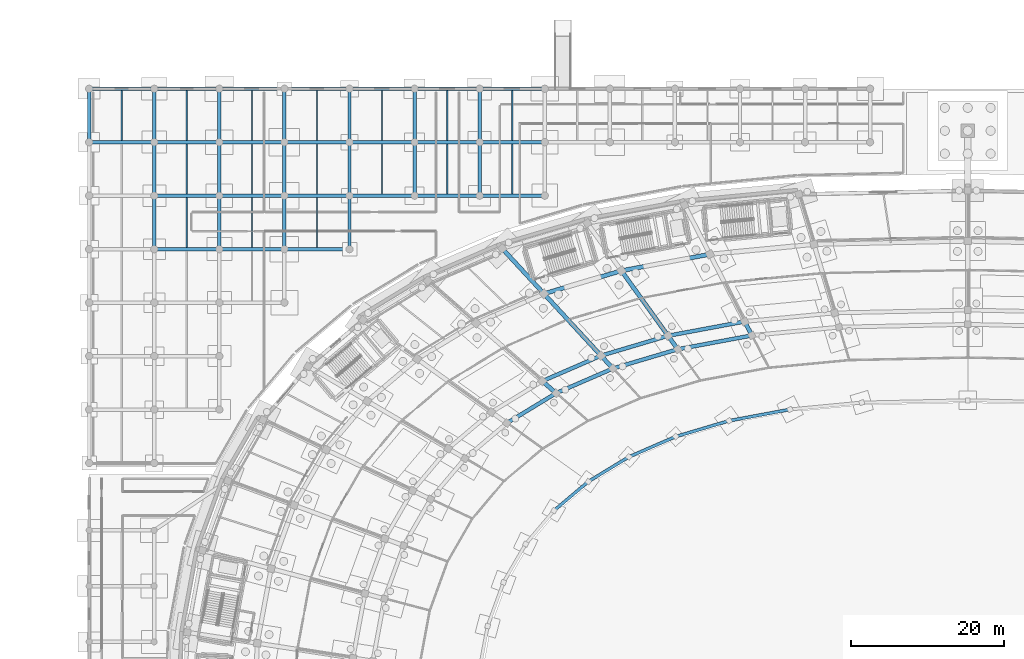
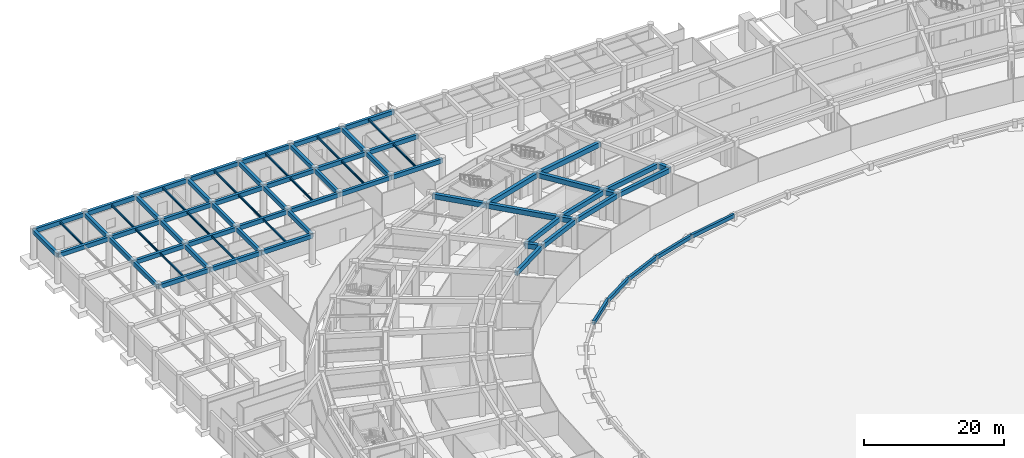
# One storey, part 34 of 88: 77 beams.
"""IFC4 building model written with IfcOpenShell, lengths in metres."""

from ifc_helpers import new_model, si_unit, direction, frame, origin, origin_2d, place, context, subcontext, project, spatial, rectangle, i_section, extrude, material, material_profile, profile_set, type_object, element, save


model = new_model("IFC4")

# Units and contexts
model_context = context("Model", 3, precision=1e-05, world=origin(), true_north=direction((0.0, 1.0)))
body_context = subcontext(model_context, "Body", "Model", "MODEL_VIEW")
ifc_project = project(units=[si_unit("LENGTHUNIT", "METRE"), si_unit("AREAUNIT", "SQUARE_METRE"), si_unit("VOLUMEUNIT", "CUBIC_METRE"), si_unit("PLANEANGLEUNIT", "RADIAN"), si_unit("MASSUNIT", "GRAM", prefix="KILO")], contexts=[model_context])

# Site, building, storey
site_placement = place(None, origin())
site = spatial("IfcSite", under=ifc_project, at=site_placement, CompositionType="ELEMENT")
building_placement = place(site_placement, origin())
building = spatial("IfcBuilding", under=site, at=building_placement, Name="Mphavela Belvedere Stadium", CompositionType="ELEMENT")
storey_placement = place(building_placement, origin())
storey = spatial("IfcBuildingStorey", under=building, at=storey_placement, Name="L00", CompositionType="ELEMENT", Elevation=0.0)

# Beams
ifc_material_1 = material(Name="Steel S355", Category="steel")
ifc_material_profile_1 = material_profile(ifc_material_1, i_section(OverallWidth=0.169921875, OverallDepth=0.360107421875, WebThickness=0.008056640625, FlangeThickness=0.0126953125, at=origin_2d()), Name="IPE 360")
ifc_profile_set_1 = profile_set([ifc_material_profile_1], Name="Steel S355")
beam_type_1 = type_object("IfcBeamType", Name="BM-JOIST-IPE360", PredefinedType="JOIST", material=ifc_profile_set_1)
for number, where, z_axis, x_axis, name in (
    (1, (4.259521484375, 167.22509765625, 4.9599609375), (0.0, 1.0, 0.0), (-1.0, 0.0, 0.0), "North Mast and Ceremonial End Forecourt secondary joist L00 1-7"),
    (2, (12.778076171875, 153.22509765625, 4.9599609375), (0.0, 1.0, 0.0), (-1.0, 0.0, 0.0), "North Mast and Ceremonial End Forecourt secondary joist L00 2-5"),
    (3, (12.778076171875, 160.22509765625, 4.9599609375), (0.0, 1.0, 0.0), (-1.0, 0.0, 0.0), "North Mast and Ceremonial End Forecourt secondary joist L00 2-6"),
    (4, (12.778076171875, 167.22509765625, 4.9599609375), (0.0, 1.0, 0.0), (-1.0, 0.0, 0.0), "North Mast and Ceremonial End Forecourt secondary joist L00 2-7"),
    (5, (21.29638671875, 153.22509765625, 4.9599609375), (0.0, 1.0, 0.0), (-1.0, 0.0, 0.0), "North Mast and Ceremonial End Forecourt secondary joist L00 3-5"),
    (6, (21.29638671875, 160.22509765625, 4.9599609375), (0.0, 1.0, 0.0), (-1.0, 0.0, 0.0), "North Mast and Ceremonial End Forecourt secondary joist L00 3-6"),
    (7, (21.29638671875, 167.22509765625, 4.9599609375), (0.0, 1.0, 0.0), (-1.0, 0.0, 0.0), "North Mast and Ceremonial End Forecourt secondary joist L00 3-7"),
    (8, (29.81494140625, 153.22509765625, 4.9599609375), (0.0, 1.0, 0.0), (-1.0, 0.0, 0.0), "North Mast and Ceremonial End Forecourt secondary joist L00 4-5"),
    (9, (29.81494140625, 160.22509765625, 4.9599609375), (0.0, 1.0, 0.0), (-1.0, 0.0, 0.0), "North Mast and Ceremonial End Forecourt secondary joist L00 4-6"),
    (10, (29.81494140625, 167.22509765625, 4.9599609375), (0.0, 1.0, 0.0), (-1.0, 0.0, 0.0), "North Mast and Ceremonial End Forecourt secondary joist L00 4-7"),
    (11, (38.33349609375, 160.22509765625, 4.9599609375), (0.0, 1.0, 0.0), (-1.0, 0.0, 0.0), "North Mast and Ceremonial End Forecourt secondary joist L00 5-6"),
    (12, (38.33349609375, 167.22509765625, 4.9599609375), (0.0, 1.0, 0.0), (-1.0, 0.0, 0.0), "North Mast and Ceremonial End Forecourt secondary joist L00 5-7"),
    (13, (46.85205078125, 160.22509765625, 4.9599609375), (0.0, 1.0, 0.0), (-1.0, 0.0, 0.0), "North Mast and Ceremonial End Forecourt secondary joist L00 6-6"),
    (14, (46.85205078125, 167.22509765625, 4.9599609375), (0.0, 1.0, 0.0), (-1.0, 0.0, 0.0), "North Mast and Ceremonial End Forecourt secondary joist L00 6-7"),
    (15, (55.37060546875, 160.22509765625, 4.9599609375), (0.0, 1.0, 0.0), (-1.0, 0.0, 0.0), "North Mast and Ceremonial End Forecourt secondary joist L00 7-6"),
    (16, (55.37060546875, 167.22509765625, 4.9599609375), (0.0, 1.0, 0.0), (-1.0, 0.0, 0.0), "North Mast and Ceremonial End Forecourt secondary joist L00 7-7"),
):
    element("IfcBeam", number, at=place(storey_placement, frame(where, z_axis=z_axis, x_axis=x_axis)), inside=storey, type_object=beam_type_1, Name=name, PredefinedType="JOIST", context=body_context, shape_type="SweptSolid", body=[
        extrude(i_section(OverallWidth=0.169921875, OverallDepth=0.360107421875, WebThickness=0.008056640625, FlangeThickness=0.0126953125, at=origin_2d()), origin(), (0.0, 0.0, 1.0), 6.5498046875),
    ])
ifc_material_2 = material(Name="Concrete C40/50", Category="concrete")
ifc_material_profile_2 = material_profile(ifc_material_2, rectangle(XDim=0.39990234375, YDim=0.64990234375, at=origin_2d()), Name="RC 400x650")
ifc_profile_set_2 = profile_set([ifc_material_profile_2], Name="Concrete C40/50")
beam_type_2 = type_object("IfcBeamType", Name="BM-RC400x650", PredefinedType="BEAM", material=ifc_profile_set_2)
beam_1_placement = place(storey_placement, frame((91.741943359375, 132.02392578125, 0.824951171875), z_axis=(-0.983092319169, -0.183110600433, 0.0), x_axis=(0.183110600433, -0.983092319169, 0.0)))
element("IfcBeam", 17, at=beam_1_placement, inside=storey, type_object=beam_type_2, Name="Lower tier plinth ring beam 15", PredefinedType="BEAM", context=body_context, shape_type="SweptSolid", body=[
    extrude(rectangle(XDim=0.39990234375, YDim=0.64990234375, at=origin_2d()), origin(), (0.0, 0.0, 1.0), 8.12255859375),
])
beam_2_placement = place(storey_placement, frame((83.7568359375, 130.53662109375, 0.824951171875), z_axis=(-0.958662145349, -0.284546817018, 0.0), x_axis=(0.284546817018, -0.958662145349, 0.0)))
element("IfcBeam", 18, at=beam_2_placement, inside=storey, type_object=beam_type_2, Name="Lower tier plinth ring beam 16", PredefinedType="BEAM", context=body_context, shape_type="SweptSolid", body=[
    extrude(rectangle(XDim=0.39990234375, YDim=0.64990234375, at=origin_2d()), origin(), (0.0, 0.0, 1.0), 7.287841796875),
])
beam_3_placement = place(storey_placement, frame((76.770263671875, 128.462890625, 0.824951171875), z_axis=(-0.917505783131, -0.397722438293, 0.0), x_axis=(0.397722438293, -0.917505783131, 0.0)))
element("IfcBeam", 19, at=beam_3_placement, inside=storey, type_object=beam_type_2, Name="Lower tier plinth ring beam 17", PredefinedType="BEAM", context=body_context, shape_type="SweptSolid", body=[
    extrude(rectangle(XDim=0.39990234375, YDim=0.64990234375, at=origin_2d()), origin(), (0.0, 0.0, 1.0), 6.672607421875),
])
beam_4_placement = place(storey_placement, frame((70.648193359375, 125.80908203125, 0.824951171875), z_axis=(-0.854317681937, -0.519751188868, 0.0), x_axis=(0.519751188868, -0.854317681937, 0.0)))
element("IfcBeam", 20, at=beam_4_placement, inside=storey, type_object=beam_type_2, Name="Lower tier plinth ring beam 18", PredefinedType="BEAM", context=body_context, shape_type="SweptSolid", body=[
    extrude(rectangle(XDim=0.39990234375, YDim=0.64990234375, at=origin_2d()), origin(), (0.0, 0.0, 1.0), 6.212158203125),
])
beam_5_placement = place(storey_placement, frame((65.341064453125, 122.580322265625, 0.824951171875), z_axis=(-0.764252578724, -0.644917045762, 0.0), x_axis=(0.644917045762, -0.764252578724, 0.0)))
element("IfcBeam", 21, at=beam_5_placement, inside=storey, type_object=beam_type_2, Name="Lower tier plinth ring beam 19", PredefinedType="BEAM", context=body_context, shape_type="SweptSolid", body=[
    extrude(rectangle(XDim=0.39990234375, YDim=0.64990234375, at=origin_2d()), origin(), (0.0, 0.0, 1.0), 5.89599609375),
])
ifc_material_3 = material(Name="Concrete C40/50", Category="concrete")
ifc_material_profile_3 = material_profile(ifc_material_3, rectangle(XDim=0.449951171875, YDim=0.75, at=origin_2d()), Name="RC 450x750")
ifc_profile_set_3 = profile_set([ifc_material_profile_3], Name="Concrete C40/50")
beam_type_3 = type_object("IfcBeamType", Name="BM-RC450x750", PredefinedType="BEAM", material=ifc_profile_set_3)
beam_6_placement = place(storey_placement, frame((0.0, 167.0, 4.764892578125), z_axis=(1.0, 0.0, 0.0), x_axis=(0.0, 1.0, 0.0)))
element("IfcBeam", 22, at=beam_6_placement, inside=storey, type_object=beam_type_3, Name="North Mast and Ceremonial End Forecourt entablature beam X L00 1-7", PredefinedType="BEAM", context=body_context, shape_type="SweptSolid", body=[
    extrude(rectangle(XDim=0.449951171875, YDim=0.75, at=origin_2d()), origin(), (0.0, 0.0, 1.0), 8.51904296875),
])
beam_7_placement = place(storey_placement, frame((0.0, 167.0, 4.764892578125), z_axis=(0.0, 1.0, 0.0), x_axis=(-1.0, 0.0, 0.0)))
element("IfcBeam", 23, at=beam_7_placement, inside=storey, type_object=beam_type_3, Name="North Mast and Ceremonial End Forecourt entablature beam Y L00 1-7", PredefinedType="BEAM", context=body_context, shape_type="SweptSolid", body=[
    extrude(rectangle(XDim=0.449951171875, YDim=0.75, at=origin_2d()), origin(), (0.0, 0.0, 1.0), 7.0),
])
beam_8_placement = place(storey_placement, frame((0.0, 174.0, 4.764892578125), z_axis=(1.0, 0.0, 0.0), x_axis=(0.0, 1.0, 0.0)))
element("IfcBeam", 24, at=beam_8_placement, inside=storey, type_object=beam_type_3, Name="North Mast and Ceremonial End Forecourt entablature beam X L00 1-8", PredefinedType="BEAM", context=body_context, shape_type="SweptSolid", body=[
    extrude(rectangle(XDim=0.449951171875, YDim=0.75, at=origin_2d()), origin(), (0.0, 0.0, 1.0), 8.51904296875),
])
beam_9_placement = place(storey_placement, frame((8.51904296875, 153.0, 4.764892578125), z_axis=(1.0, 0.0, 0.0), x_axis=(0.0, 1.0, 0.0)))
element("IfcBeam", 25, at=beam_9_placement, inside=storey, type_object=beam_type_3, Name="North Mast and Ceremonial End Forecourt entablature beam X L00 2-5", PredefinedType="BEAM", context=body_context, shape_type="SweptSolid", body=[
    extrude(rectangle(XDim=0.449951171875, YDim=0.75, at=origin_2d()), origin(), (0.0, 0.0, 1.0), 8.51806640625),
])
beam_10_placement = place(storey_placement, frame((8.51904296875, 153.0, 4.764892578125), z_axis=(0.0, 1.0, 0.0), x_axis=(-1.0, 0.0, 0.0)))
element("IfcBeam", 26, at=beam_10_placement, inside=storey, type_object=beam_type_3, Name="North Mast and Ceremonial End Forecourt entablature beam Y L00 2-5", PredefinedType="BEAM", context=body_context, shape_type="SweptSolid", body=[
    extrude(rectangle(XDim=0.449951171875, YDim=0.75, at=origin_2d()), origin(), (0.0, 0.0, 1.0), 7.0),
])
beam_11_placement = place(storey_placement, frame((8.51904296875, 160.0, 4.764892578125), z_axis=(1.0, 0.0, 0.0), x_axis=(0.0, 1.0, 0.0)))
element("IfcBeam", 27, at=beam_11_placement, inside=storey, type_object=beam_type_3, Name="North Mast and Ceremonial End Forecourt entablature beam X L00 2-6", PredefinedType="BEAM", context=body_context, shape_type="SweptSolid", body=[
    extrude(rectangle(XDim=0.449951171875, YDim=0.75, at=origin_2d()), origin(), (0.0, 0.0, 1.0), 8.51806640625),
])
beam_12_placement = place(storey_placement, frame((8.51904296875, 160.0, 4.764892578125), z_axis=(0.0, 1.0, 0.0), x_axis=(-1.0, 0.0, 0.0)))
element("IfcBeam", 28, at=beam_12_placement, inside=storey, type_object=beam_type_3, Name="North Mast and Ceremonial End Forecourt entablature beam Y L00 2-6", PredefinedType="BEAM", context=body_context, shape_type="SweptSolid", body=[
    extrude(rectangle(XDim=0.449951171875, YDim=0.75, at=origin_2d()), origin(), (0.0, 0.0, 1.0), 7.0),
])
beam_13_placement = place(storey_placement, frame((8.51904296875, 167.0, 4.764892578125), z_axis=(1.0, 0.0, 0.0), x_axis=(0.0, 1.0, 0.0)))
element("IfcBeam", 29, at=beam_13_placement, inside=storey, type_object=beam_type_3, Name="North Mast and Ceremonial End Forecourt entablature beam X L00 2-7", PredefinedType="BEAM", context=body_context, shape_type="SweptSolid", body=[
    extrude(rectangle(XDim=0.449951171875, YDim=0.75, at=origin_2d()), origin(), (0.0, 0.0, 1.0), 8.51806640625),
])
beam_14_placement = place(storey_placement, frame((8.51904296875, 167.0, 4.764892578125), z_axis=(0.0, 1.0, 0.0), x_axis=(-1.0, 0.0, 0.0)))
element("IfcBeam", 30, at=beam_14_placement, inside=storey, type_object=beam_type_3, Name="North Mast and Ceremonial End Forecourt entablature beam Y L00 2-7", PredefinedType="BEAM", context=body_context, shape_type="SweptSolid", body=[
    extrude(rectangle(XDim=0.449951171875, YDim=0.75, at=origin_2d()), origin(), (0.0, 0.0, 1.0), 7.0),
])
beam_15_placement = place(storey_placement, frame((8.51904296875, 174.0, 4.764892578125), z_axis=(1.0, 0.0, 0.0), x_axis=(0.0, 1.0, 0.0)))
element("IfcBeam", 31, at=beam_15_placement, inside=storey, type_object=beam_type_3, Name="North Mast and Ceremonial End Forecourt entablature beam X L00 2-8", PredefinedType="BEAM", context=body_context, shape_type="SweptSolid", body=[
    extrude(rectangle(XDim=0.449951171875, YDim=0.75, at=origin_2d()), origin(), (0.0, 0.0, 1.0), 8.51806640625),
])
beam_16_placement = place(storey_placement, frame((17.037109375, 153.0, 4.764892578125), z_axis=(1.0, 0.0, 0.0), x_axis=(0.0, 1.0, 0.0)))
element("IfcBeam", 32, at=beam_16_placement, inside=storey, type_object=beam_type_3, Name="North Mast and Ceremonial End Forecourt entablature beam X L00 3-5", PredefinedType="BEAM", context=body_context, shape_type="SweptSolid", body=[
    extrude(rectangle(XDim=0.449951171875, YDim=0.75, at=origin_2d()), origin(), (0.0, 0.0, 1.0), 8.518798828125),
])
beam_17_placement = place(storey_placement, frame((17.037109375, 153.0, 4.764892578125), z_axis=(0.0, 1.0, 0.0), x_axis=(-1.0, 0.0, 0.0)))
element("IfcBeam", 33, at=beam_17_placement, inside=storey, type_object=beam_type_3, Name="North Mast and Ceremonial End Forecourt entablature beam Y L00 3-5", PredefinedType="BEAM", context=body_context, shape_type="SweptSolid", body=[
    extrude(rectangle(XDim=0.449951171875, YDim=0.75, at=origin_2d()), origin(), (0.0, 0.0, 1.0), 7.0),
])
beam_18_placement = place(storey_placement, frame((17.037109375, 160.0, 4.764892578125), z_axis=(1.0, 0.0, 0.0), x_axis=(0.0, 1.0, 0.0)))
element("IfcBeam", 34, at=beam_18_placement, inside=storey, type_object=beam_type_3, Name="North Mast and Ceremonial End Forecourt entablature beam X L00 3-6", PredefinedType="BEAM", context=body_context, shape_type="SweptSolid", body=[
    extrude(rectangle(XDim=0.449951171875, YDim=0.75, at=origin_2d()), origin(), (0.0, 0.0, 1.0), 8.518798828125),
])
beam_19_placement = place(storey_placement, frame((17.037109375, 160.0, 4.764892578125), z_axis=(0.0, 1.0, 0.0), x_axis=(-1.0, 0.0, 0.0)))
element("IfcBeam", 35, at=beam_19_placement, inside=storey, type_object=beam_type_3, Name="North Mast and Ceremonial End Forecourt entablature beam Y L00 3-6", PredefinedType="BEAM", context=body_context, shape_type="SweptSolid", body=[
    extrude(rectangle(XDim=0.449951171875, YDim=0.75, at=origin_2d()), origin(), (0.0, 0.0, 1.0), 7.0),
])
beam_20_placement = place(storey_placement, frame((17.037109375, 167.0, 4.764892578125), z_axis=(1.0, 0.0, 0.0), x_axis=(0.0, 1.0, 0.0)))
element("IfcBeam", 36, at=beam_20_placement, inside=storey, type_object=beam_type_3, Name="North Mast and Ceremonial End Forecourt entablature beam X L00 3-7", PredefinedType="BEAM", context=body_context, shape_type="SweptSolid", body=[
    extrude(rectangle(XDim=0.449951171875, YDim=0.75, at=origin_2d()), origin(), (0.0, 0.0, 1.0), 8.518798828125),
])
beam_21_placement = place(storey_placement, frame((17.037109375, 167.0, 4.764892578125), z_axis=(0.0, 1.0, 0.0), x_axis=(-1.0, 0.0, 0.0)))
element("IfcBeam", 37, at=beam_21_placement, inside=storey, type_object=beam_type_3, Name="North Mast and Ceremonial End Forecourt entablature beam Y L00 3-7", PredefinedType="BEAM", context=body_context, shape_type="SweptSolid", body=[
    extrude(rectangle(XDim=0.449951171875, YDim=0.75, at=origin_2d()), origin(), (0.0, 0.0, 1.0), 7.0),
])
beam_22_placement = place(storey_placement, frame((17.037109375, 174.0, 4.764892578125), z_axis=(1.0, 0.0, 0.0), x_axis=(0.0, 1.0, 0.0)))
element("IfcBeam", 38, at=beam_22_placement, inside=storey, type_object=beam_type_3, Name="North Mast and Ceremonial End Forecourt entablature beam X L00 3-8", PredefinedType="BEAM", context=body_context, shape_type="SweptSolid", body=[
    extrude(rectangle(XDim=0.449951171875, YDim=0.75, at=origin_2d()), origin(), (0.0, 0.0, 1.0), 8.518798828125),
])
beam_23_placement = place(storey_placement, frame((25.555908203125, 153.0, 4.764892578125), z_axis=(1.0, 0.0, 0.0), x_axis=(0.0, 1.0, 0.0)))
element("IfcBeam", 39, at=beam_23_placement, inside=storey, type_object=beam_type_3, Name="North Mast and Ceremonial End Forecourt entablature beam X L00 4-5", PredefinedType="BEAM", context=body_context, shape_type="SweptSolid", body=[
    extrude(rectangle(XDim=0.449951171875, YDim=0.75, at=origin_2d()), origin(), (0.0, 0.0, 1.0), 8.51806640625),
])
beam_24_placement = place(storey_placement, frame((25.555908203125, 153.0, 4.764892578125), z_axis=(0.0, 1.0, 0.0), x_axis=(-1.0, 0.0, 0.0)))
element("IfcBeam", 40, at=beam_24_placement, inside=storey, type_object=beam_type_3, Name="North Mast and Ceremonial End Forecourt entablature beam Y L00 4-5", PredefinedType="BEAM", context=body_context, shape_type="SweptSolid", body=[
    extrude(rectangle(XDim=0.449951171875, YDim=0.75, at=origin_2d()), origin(), (0.0, 0.0, 1.0), 7.0),
])
beam_25_placement = place(storey_placement, frame((25.555908203125, 160.0, 4.764892578125), z_axis=(1.0, 0.0, 0.0), x_axis=(0.0, 1.0, 0.0)))
element("IfcBeam", 41, at=beam_25_placement, inside=storey, type_object=beam_type_3, Name="North Mast and Ceremonial End Forecourt entablature beam X L00 4-6", PredefinedType="BEAM", context=body_context, shape_type="SweptSolid", body=[
    extrude(rectangle(XDim=0.449951171875, YDim=0.75, at=origin_2d()), origin(), (0.0, 0.0, 1.0), 8.51806640625),
])
beam_26_placement = place(storey_placement, frame((25.555908203125, 160.0, 4.764892578125), z_axis=(0.0, 1.0, 0.0), x_axis=(-1.0, 0.0, 0.0)))
element("IfcBeam", 42, at=beam_26_placement, inside=storey, type_object=beam_type_3, Name="North Mast and Ceremonial End Forecourt entablature beam Y L00 4-6", PredefinedType="BEAM", context=body_context, shape_type="SweptSolid", body=[
    extrude(rectangle(XDim=0.449951171875, YDim=0.75, at=origin_2d()), origin(), (0.0, 0.0, 1.0), 7.0),
])
beam_27_placement = place(storey_placement, frame((25.555908203125, 167.0, 4.764892578125), z_axis=(1.0, 0.0, 0.0), x_axis=(0.0, 1.0, 0.0)))
element("IfcBeam", 43, at=beam_27_placement, inside=storey, type_object=beam_type_3, Name="North Mast and Ceremonial End Forecourt entablature beam X L00 4-7", PredefinedType="BEAM", context=body_context, shape_type="SweptSolid", body=[
    extrude(rectangle(XDim=0.449951171875, YDim=0.75, at=origin_2d()), origin(), (0.0, 0.0, 1.0), 8.51806640625),
])
beam_28_placement = place(storey_placement, frame((25.555908203125, 167.0, 4.764892578125), z_axis=(0.0, 1.0, 0.0), x_axis=(-1.0, 0.0, 0.0)))
element("IfcBeam", 44, at=beam_28_placement, inside=storey, type_object=beam_type_3, Name="North Mast and Ceremonial End Forecourt entablature beam Y L00 4-7", PredefinedType="BEAM", context=body_context, shape_type="SweptSolid", body=[
    extrude(rectangle(XDim=0.449951171875, YDim=0.75, at=origin_2d()), origin(), (0.0, 0.0, 1.0), 7.0),
])
beam_29_placement = place(storey_placement, frame((25.555908203125, 174.0, 4.764892578125), z_axis=(1.0, 0.0, 0.0), x_axis=(0.0, 1.0, 0.0)))
element("IfcBeam", 45, at=beam_29_placement, inside=storey, type_object=beam_type_3, Name="North Mast and Ceremonial End Forecourt entablature beam X L00 4-8", PredefinedType="BEAM", context=body_context, shape_type="SweptSolid", body=[
    extrude(rectangle(XDim=0.449951171875, YDim=0.75, at=origin_2d()), origin(), (0.0, 0.0, 1.0), 8.51806640625),
])
beam_30_placement = place(storey_placement, frame((34.073974609375, 153.0, 4.764892578125), z_axis=(0.0, 1.0, 0.0), x_axis=(-1.0, 0.0, 0.0)))
element("IfcBeam", 46, at=beam_30_placement, inside=storey, type_object=beam_type_3, Name="North Mast and Ceremonial End Forecourt entablature beam Y L00 5-5", PredefinedType="BEAM", context=body_context, shape_type="SweptSolid", body=[
    extrude(rectangle(XDim=0.449951171875, YDim=0.75, at=origin_2d()), origin(), (0.0, 0.0, 1.0), 7.0),
])
beam_31_placement = place(storey_placement, frame((34.073974609375, 160.0, 4.764892578125), z_axis=(1.0, 0.0, 0.0), x_axis=(0.0, 1.0, 0.0)))
element("IfcBeam", 47, at=beam_31_placement, inside=storey, type_object=beam_type_3, Name="North Mast and Ceremonial End Forecourt entablature beam X L00 5-6", PredefinedType="BEAM", context=body_context, shape_type="SweptSolid", body=[
    extrude(rectangle(XDim=0.449951171875, YDim=0.75, at=origin_2d()), origin(), (0.0, 0.0, 1.0), 8.51904296875),
])
beam_32_placement = place(storey_placement, frame((34.073974609375, 160.0, 4.764892578125), z_axis=(0.0, 1.0, 0.0), x_axis=(-1.0, 0.0, 0.0)))
element("IfcBeam", 48, at=beam_32_placement, inside=storey, type_object=beam_type_3, Name="North Mast and Ceremonial End Forecourt entablature beam Y L00 5-6", PredefinedType="BEAM", context=body_context, shape_type="SweptSolid", body=[
    extrude(rectangle(XDim=0.449951171875, YDim=0.75, at=origin_2d()), origin(), (0.0, 0.0, 1.0), 7.0),
])
beam_33_placement = place(storey_placement, frame((34.073974609375, 167.0, 4.764892578125), z_axis=(1.0, 0.0, 0.0), x_axis=(0.0, 1.0, 0.0)))
element("IfcBeam", 49, at=beam_33_placement, inside=storey, type_object=beam_type_3, Name="North Mast and Ceremonial End Forecourt entablature beam X L00 5-7", PredefinedType="BEAM", context=body_context, shape_type="SweptSolid", body=[
    extrude(rectangle(XDim=0.449951171875, YDim=0.75, at=origin_2d()), origin(), (0.0, 0.0, 1.0), 8.51904296875),
])
beam_34_placement = place(storey_placement, frame((34.073974609375, 167.0, 4.764892578125), z_axis=(0.0, 1.0, 0.0), x_axis=(-1.0, 0.0, 0.0)))
element("IfcBeam", 50, at=beam_34_placement, inside=storey, type_object=beam_type_3, Name="North Mast and Ceremonial End Forecourt entablature beam Y L00 5-7", PredefinedType="BEAM", context=body_context, shape_type="SweptSolid", body=[
    extrude(rectangle(XDim=0.449951171875, YDim=0.75, at=origin_2d()), origin(), (0.0, 0.0, 1.0), 7.0),
])
beam_35_placement = place(storey_placement, frame((34.073974609375, 174.0, 4.764892578125), z_axis=(1.0, 0.0, 0.0), x_axis=(0.0, 1.0, 0.0)))
element("IfcBeam", 51, at=beam_35_placement, inside=storey, type_object=beam_type_3, Name="North Mast and Ceremonial End Forecourt entablature beam X L00 5-8", PredefinedType="BEAM", context=body_context, shape_type="SweptSolid", body=[
    extrude(rectangle(XDim=0.449951171875, YDim=0.75, at=origin_2d()), origin(), (0.0, 0.0, 1.0), 8.51904296875),
])
beam_36_placement = place(storey_placement, frame((42.593017578125, 160.0, 4.764892578125), z_axis=(1.0, 0.0, 0.0), x_axis=(0.0, 1.0, 0.0)))
element("IfcBeam", 52, at=beam_36_placement, inside=storey, type_object=beam_type_3, Name="North Mast and Ceremonial End Forecourt entablature beam X L00 6-6", PredefinedType="BEAM", context=body_context, shape_type="SweptSolid", body=[
    extrude(rectangle(XDim=0.449951171875, YDim=0.75, at=origin_2d()), origin(), (0.0, 0.0, 1.0), 8.51806640625),
])
beam_37_placement = place(storey_placement, frame((42.593017578125, 160.0, 4.764892578125), z_axis=(0.0, 1.0, 0.0), x_axis=(-1.0, 0.0, 0.0)))
element("IfcBeam", 53, at=beam_37_placement, inside=storey, type_object=beam_type_3, Name="North Mast and Ceremonial End Forecourt entablature beam Y L00 6-6", PredefinedType="BEAM", context=body_context, shape_type="SweptSolid", body=[
    extrude(rectangle(XDim=0.449951171875, YDim=0.75, at=origin_2d()), origin(), (0.0, 0.0, 1.0), 7.0),
])
beam_38_placement = place(storey_placement, frame((42.593017578125, 167.0, 4.764892578125), z_axis=(1.0, 0.0, 0.0), x_axis=(0.0, 1.0, 0.0)))
element("IfcBeam", 54, at=beam_38_placement, inside=storey, type_object=beam_type_3, Name="North Mast and Ceremonial End Forecourt entablature beam X L00 6-7", PredefinedType="BEAM", context=body_context, shape_type="SweptSolid", body=[
    extrude(rectangle(XDim=0.449951171875, YDim=0.75, at=origin_2d()), origin(), (0.0, 0.0, 1.0), 8.51806640625),
])
beam_39_placement = place(storey_placement, frame((42.593017578125, 167.0, 4.764892578125), z_axis=(0.0, 1.0, 0.0), x_axis=(-1.0, 0.0, 0.0)))
element("IfcBeam", 55, at=beam_39_placement, inside=storey, type_object=beam_type_3, Name="North Mast and Ceremonial End Forecourt entablature beam Y L00 6-7", PredefinedType="BEAM", context=body_context, shape_type="SweptSolid", body=[
    extrude(rectangle(XDim=0.449951171875, YDim=0.75, at=origin_2d()), origin(), (0.0, 0.0, 1.0), 7.0),
])
beam_40_placement = place(storey_placement, frame((42.593017578125, 174.0, 4.764892578125), z_axis=(1.0, 0.0, 0.0), x_axis=(0.0, 1.0, 0.0)))
element("IfcBeam", 56, at=beam_40_placement, inside=storey, type_object=beam_type_3, Name="North Mast and Ceremonial End Forecourt entablature beam X L00 6-8", PredefinedType="BEAM", context=body_context, shape_type="SweptSolid", body=[
    extrude(rectangle(XDim=0.449951171875, YDim=0.75, at=origin_2d()), origin(), (0.0, 0.0, 1.0), 8.51806640625),
])
beam_41_placement = place(storey_placement, frame((51.111083984375, 160.0, 4.764892578125), z_axis=(1.0, 0.0, 0.0), x_axis=(0.0, 1.0, 0.0)))
element("IfcBeam", 57, at=beam_41_placement, inside=storey, type_object=beam_type_3, Name="North Mast and Ceremonial End Forecourt entablature beam X L00 7-6", PredefinedType="BEAM", context=body_context, shape_type="SweptSolid", body=[
    extrude(rectangle(XDim=0.449951171875, YDim=0.75, at=origin_2d()), origin(), (0.0, 0.0, 1.0), 8.518798828125),
])
beam_42_placement = place(storey_placement, frame((51.111083984375, 160.0, 4.764892578125), z_axis=(0.0, 1.0, 0.0), x_axis=(-1.0, 0.0, 0.0)))
element("IfcBeam", 58, at=beam_42_placement, inside=storey, type_object=beam_type_3, Name="North Mast and Ceremonial End Forecourt entablature beam Y L00 7-6", PredefinedType="BEAM", context=body_context, shape_type="SweptSolid", body=[
    extrude(rectangle(XDim=0.449951171875, YDim=0.75, at=origin_2d()), origin(), (0.0, 0.0, 1.0), 7.0),
])
beam_43_placement = place(storey_placement, frame((51.111083984375, 167.0, 4.764892578125), z_axis=(1.0, 0.0, 0.0), x_axis=(0.0, 1.0, 0.0)))
element("IfcBeam", 59, at=beam_43_placement, inside=storey, type_object=beam_type_3, Name="North Mast and Ceremonial End Forecourt entablature beam X L00 7-7", PredefinedType="BEAM", context=body_context, shape_type="SweptSolid", body=[
    extrude(rectangle(XDim=0.449951171875, YDim=0.75, at=origin_2d()), origin(), (0.0, 0.0, 1.0), 8.518798828125),
])
beam_44_placement = place(storey_placement, frame((51.111083984375, 167.0, 4.764892578125), z_axis=(0.0, 1.0, 0.0), x_axis=(-1.0, 0.0, 0.0)))
element("IfcBeam", 60, at=beam_44_placement, inside=storey, type_object=beam_type_3, Name="North Mast and Ceremonial End Forecourt entablature beam Y L00 7-7", PredefinedType="BEAM", context=body_context, shape_type="SweptSolid", body=[
    extrude(rectangle(XDim=0.449951171875, YDim=0.75, at=origin_2d()), origin(), (0.0, 0.0, 1.0), 7.0),
])
beam_45_placement = place(storey_placement, frame((51.111083984375, 174.0, 4.764892578125), z_axis=(1.0, 0.0, 0.0), x_axis=(0.0, 1.0, 0.0)))
element("IfcBeam", 61, at=beam_45_placement, inside=storey, type_object=beam_type_3, Name="North Mast and Ceremonial End Forecourt entablature beam X L00 7-8", PredefinedType="BEAM", context=body_context, shape_type="SweptSolid", body=[
    extrude(rectangle(XDim=0.449951171875, YDim=0.75, at=origin_2d()), origin(), (0.0, 0.0, 1.0), 8.518798828125),
])
ifc_material_4 = material(Name="Concrete C40/50", Category="concrete")
ifc_material_profile_4 = material_profile(ifc_material_4, rectangle(XDim=0.5, YDim=0.800048828125, at=origin_2d()), Name="RC 500x800")
ifc_profile_set_4 = profile_set([ifc_material_profile_4], Name="Concrete C40/50")
beam_type_4 = type_object("IfcBeamType", Name="BM-RC500x800", PredefinedType="BEAM", material=ifc_profile_set_4)
beam_46_placement = place(storey_placement, frame((86.74072265625, 141.705810546875, 4.75), z_axis=(-0.983092994202, -0.183106976248, 0.0), x_axis=(0.183106976248, -0.983092994202, 0.0)))
element("IfcBeam", 62, at=beam_46_placement, inside=storey, type_object=beam_type_4, Name="Circumferential girder L00 R1-15", PredefinedType="BEAM", context=body_context, shape_type="SweptSolid", body=[
    extrude(rectangle(XDim=0.5, YDim=0.800048828125, at=origin_2d()), origin(), (0.0, 0.0, 1.0), 9.869140625),
])
beam_47_placement = place(storey_placement, frame((85.79638671875, 143.53369140625, 4.75), z_axis=(-0.983098802226, -0.183075790485, 0.0), x_axis=(0.183075790485, -0.983098802226, 0.0)))
element("IfcBeam", 63, at=beam_47_placement, inside=storey, type_object=beam_type_4, Name="Circumferential girder L00 R2-15", PredefinedType="BEAM", context=body_context, shape_type="SweptSolid", body=[
    extrude(rectangle(XDim=0.5, YDim=0.800048828125, at=origin_2d()), origin(), (0.0, 0.0, 1.0), 10.198974609375),
])
beam_48_placement = place(storey_placement, frame((77.038330078125, 139.898681640625, 4.75), z_axis=(-0.958656973737, -0.284564240033, 0.0), x_axis=(0.284564240033, -0.958656973737, 0.0)))
element("IfcBeam", 64, at=beam_48_placement, inside=storey, type_object=beam_type_4, Name="Circumferential girder L00 R1-16", PredefinedType="BEAM", context=body_context, shape_type="SweptSolid", body=[
    extrude(rectangle(XDim=0.5, YDim=0.800048828125, at=origin_2d()), origin(), (0.0, 0.0, 1.0), 8.854736328125),
])
beam_49_placement = place(storey_placement, frame((75.769775390625, 141.66650390625, 4.75), z_axis=(-0.958656419443, -0.284566107363, 0.0), x_axis=(0.284566107363, -0.958656419443, 0.0)))
element("IfcBeam", 65, at=beam_49_placement, inside=storey, type_object=beam_type_4, Name="Circumferential girder L00 R2-16", PredefinedType="BEAM", context=body_context, shape_type="SweptSolid", body=[
    extrude(rectangle(XDim=0.5, YDim=0.800048828125, at=origin_2d()), origin(), (0.0, 0.0, 1.0), 9.15087890625),
])
beam_50_placement = place(storey_placement, frame((68.549560546875, 137.37890625, 4.75), z_axis=(-0.917503251148, -0.397728279273, 0.0), x_axis=(0.397728279273, -0.917503251148, 0.0)))
element("IfcBeam", 66, at=beam_50_placement, inside=storey, type_object=beam_type_4, Name="Circumferential girder L00 R1-17", PredefinedType="BEAM", context=body_context, shape_type="SweptSolid", body=[
    extrude(rectangle(XDim=0.5, YDim=0.800048828125, at=origin_2d()), origin(), (0.0, 0.0, 1.0), 8.107666015625),
])
beam_51_placement = place(storey_placement, frame((66.997314453125, 139.0625, 4.75), z_axis=(-0.917495728928, -0.397745631526, 0.0), x_axis=(0.397745631526, -0.917495728928, 0.0)))
element("IfcBeam", 67, at=beam_51_placement, inside=storey, type_object=beam_type_4, Name="Circumferential girder L00 R2-17", PredefinedType="BEAM", context=body_context, shape_type="SweptSolid", body=[
    extrude(rectangle(XDim=0.5, YDim=0.800048828125, at=origin_2d()), origin(), (0.0, 0.0, 1.0), 8.37841796875),
])
beam_52_placement = place(storey_placement, frame((61.11083984375, 134.154296875, 4.75), z_axis=(-0.854325951403, -0.51973759606, 0.0), x_axis=(0.51973759606, -0.854325951403, 0.0)))
element("IfcBeam", 68, at=beam_52_placement, inside=storey, type_object=beam_type_4, Name="Circumferential girder L00 R1-18", PredefinedType="BEAM", context=body_context, shape_type="SweptSolid", body=[
    extrude(rectangle(XDim=0.5, YDim=0.800048828125, at=origin_2d()), origin(), (0.0, 0.0, 1.0), 7.5478515625),
])
ifc_material_5 = material(Name="Concrete C40/50", Category="concrete")
ifc_material_profile_5 = material_profile(ifc_material_5, rectangle(XDim=0.550048828125, YDim=0.85009765625, at=origin_2d()), Name="RC 550x850")
ifc_profile_set_5 = profile_set([ifc_material_profile_5], Name="Concrete C40/50")
beam_type_5 = type_object("IfcBeamType", Name="BM-RC550x850", PredefinedType="BEAM", material=ifc_profile_set_5)
beam_53_placement = place(storey_placement, frame((81.249755859375, 152.33544921875, 4.72509765625), z_axis=(-0.983097725009, -0.18308157494, 0.0), x_axis=(0.18308157494, -0.983097725009, 0.0)))
element("IfcBeam", 69, at=beam_53_placement, inside=storey, type_object=beam_type_5, Name="Circumferential girder L00 R3-15", PredefinedType="BEAM", context=body_context, shape_type="SweptSolid", body=[
    extrude(rectangle(XDim=0.550048828125, YDim=0.85009765625, at=origin_2d()), origin(), (0.0, 0.0, 1.0), 11.786865234375),
])
beam_54_placement = place(storey_placement, frame((86.74072265625, 141.705810546875, 4.72509765625), z_axis=(-0.458993514161, 0.888439617508, 0.0), x_axis=(-0.888439617508, -0.458993514161, 0.0)))
element("IfcBeam", 70, at=beam_54_placement, inside=storey, type_object=beam_type_5, Name="Radial concourse girder L00 R1R2-15", PredefinedType="BEAM", context=body_context, shape_type="SweptSolid", body=[
    extrude(rectangle(XDim=0.550048828125, YDim=0.85009765625, at=origin_2d()), origin(), (0.0, 0.0, 1.0), 2.057373046875),
])
beam_55_placement = place(storey_placement, frame((69.662109375, 150.177490234375, 4.72509765625), z_axis=(-0.958655230784, -0.284570111731, 0.0), x_axis=(0.284570111731, -0.958655230784, 0.0)))
element("IfcBeam", 71, at=beam_55_placement, inside=storey, type_object=beam_type_5, Name="Circumferential girder L00 R3-16", PredefinedType="BEAM", context=body_context, shape_type="SweptSolid", body=[
    extrude(rectangle(XDim=0.550048828125, YDim=0.85009765625, at=origin_2d()), origin(), (0.0, 0.0, 1.0), 10.57568359375),
])
beam_56_placement = place(storey_placement, frame((77.038330078125, 139.898681640625, 4.72509765625), z_axis=(-0.583009326667, 0.812465460816, 0.0), x_axis=(-0.812465460816, -0.583009326667, 0.0)))
element("IfcBeam", 72, at=beam_56_placement, inside=storey, type_object=beam_type_5, Name="Radial concourse girder L00 R1R2-16", PredefinedType="BEAM", context=body_context, shape_type="SweptSolid", body=[
    extrude(rectangle(XDim=0.550048828125, YDim=0.85009765625, at=origin_2d()), origin(), (0.0, 0.0, 1.0), 2.17578125),
])
beam_57_placement = place(storey_placement, frame((75.769775390625, 141.66650390625, 4.72509765625), z_axis=(-0.583031296474, 0.812449695262, 0.0), x_axis=(-0.812449695262, -0.583031296474, 0.0)))
element("IfcBeam", 73, at=beam_57_placement, inside=storey, type_object=beam_type_5, Name="Radial concourse girder L00 R2R3-16", PredefinedType="BEAM", context=body_context, shape_type="SweptSolid", body=[
    extrude(rectangle(XDim=0.550048828125, YDim=0.85009765625, at=origin_2d()), origin(), (0.0, 0.0, 1.0), 10.475830078125),
])
beam_58_placement = place(storey_placement, frame((68.549560546875, 137.37890625, 4.72509765625), z_axis=(-0.677846038514, 0.735203881975, 0.0), x_axis=(-0.735203881975, -0.677846038514, 0.0)))
element("IfcBeam", 74, at=beam_58_placement, inside=storey, type_object=beam_type_5, Name="Radial concourse girder L00 R1R2-17", PredefinedType="BEAM", context=body_context, shape_type="SweptSolid", body=[
    extrude(rectangle(XDim=0.550048828125, YDim=0.85009765625, at=origin_2d()), origin(), (0.0, 0.0, 1.0), 2.2900390625),
])
beam_59_placement = place(storey_placement, frame((66.997314453125, 139.0625, 4.72509765625), z_axis=(-0.677871643116, 0.735180274123, 0.0), x_axis=(-0.735180274123, -0.677871643116, 0.0)))
element("IfcBeam", 75, at=beam_59_placement, inside=storey, type_object=beam_type_5, Name="Radial concourse girder L00 R2R3-17", PredefinedType="BEAM", context=body_context, shape_type="SweptSolid", body=[
    extrude(rectangle(XDim=0.550048828125, YDim=0.85009765625, at=origin_2d()), origin(), (0.0, 0.0, 1.0), 11.025146484375),
])
beam_60_placement = place(storey_placement, frame((59.523681640625, 147.16796875, 4.72509765625), z_axis=(-0.67784325477, 0.735206448532, 0.0), x_axis=(-0.735206448532, -0.67784325477, 0.0)))
element("IfcBeam", 76, at=beam_60_placement, inside=storey, type_object=beam_type_5, Name="Radial concourse girder L00 R3R4-17", PredefinedType="BEAM", context=body_context, shape_type="SweptSolid", body=[
    extrude(rectangle(XDim=0.550048828125, YDim=0.85009765625, at=origin_2d()), origin(), (0.0, 0.0, 1.0), 8.056640625),
])
beam_61_placement = place(storey_placement, frame((61.11083984375, 134.154296875, 4.72509765625), z_axis=(-0.752576694707, 0.658504607869, 0.0), x_axis=(-0.658504607869, -0.752576694707, 0.0)))
element("IfcBeam", 77, at=beam_61_placement, inside=storey, type_object=beam_type_5, Name="Radial concourse girder L00 R1R2-18", PredefinedType="BEAM", context=body_context, shape_type="SweptSolid", body=[
    extrude(rectangle(XDim=0.550048828125, YDim=0.85009765625, at=origin_2d()), origin(), (0.0, 0.0, 1.0), 2.392822265625),
])

save(model, "model.ifc")
